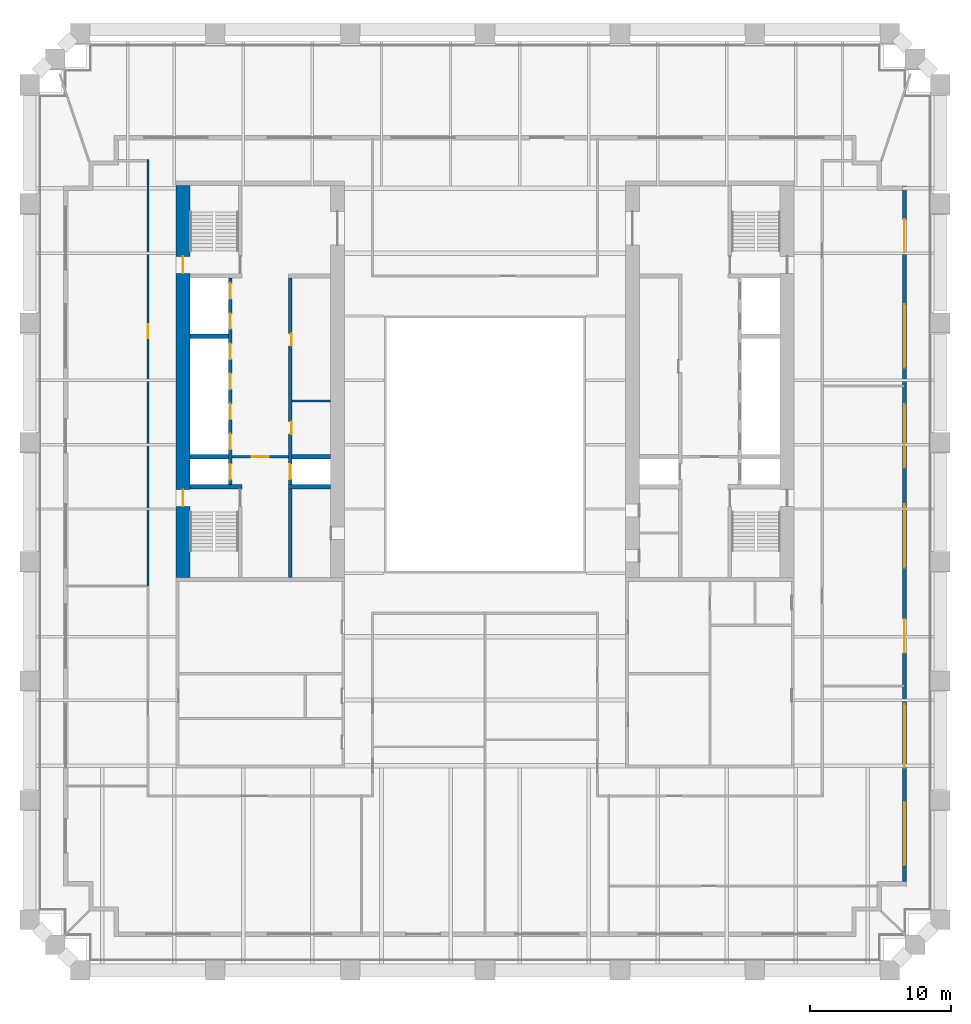
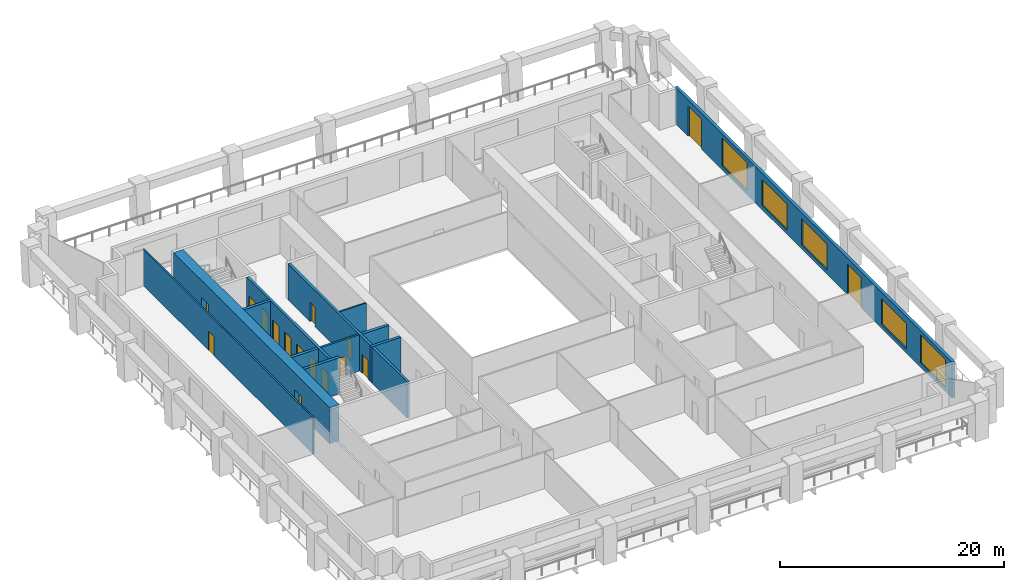
# One storey, part 5 of 9: 16 doors, 12 walls, 5 windows, 21 openings.
"""IFC4 building model written with IfcOpenShell, lengths in metres."""

import ifcopenshell
import ifcopenshell.guid

model = None  # the IFC model being written
_history = None  # IfcOwnerHistory: only IFC2X3 demands one
_inside = {}  # id of a spatial element -> (the spatial element, [elements in it])
_under = {}  # id of a project, library or spatial element -> (it, [spatial elements below it])
_declared = {}  # id of a project -> (the project, [libraries it declares])
_typed = {}  # id of a type object -> (the type object, [elements of that type])
_made_of = {}  # id of a material, layer set ... -> (it, [elements and type objects made of it])


def new_model(schema):
    """Start an empty IFC model of exactly this schema.

    Asked for "IFC4X3", IfcOpenShell would pick the latest addendum, in which some entities
    have other attributes; the version numbers below select the first issue.
    IFC2X3 requires an IfcOwnerHistory on every rooted entity: one is made here for all.
    """
    global model, _history
    if schema == "IFC4X3":
        model = ifcopenshell.file(schema_version=(4, 3, 0, 0))
    else:
        model = ifcopenshell.file(schema=schema)
    _inside.clear()
    _under.clear()
    _declared.clear()
    _typed.clear()
    _made_of.clear()
    _history = None
    if model.schema == "IFC2X3":
        org = make("IfcOrganization", Name="unknown")
        user = make(
            "IfcPersonAndOrganization",
            ThePerson=make("IfcPerson", FamilyName="unknown"),
            TheOrganization=org,
        )
        app = make(
            "IfcApplication",
            ApplicationDeveloper=org,
            Version="unknown",
            ApplicationFullName="unknown",
            ApplicationIdentifier="unknown",
        )
        _history = make(
            "IfcOwnerHistory",
            OwningUser=user,
            OwningApplication=app,
            ChangeAction="ADDED",
            CreationDate=0,
        )
    return model


def make(cls, **values):
    """One entity of the class cls with the attributes given. An attribute that is None is left unset."""
    return model.create_entity(
        cls, **{name: value for name, value in values.items() if value is not None}
    )


def rooted(cls, **values):
    """An entity with a GlobalId (a new one), such as an element, a storey or a relation."""
    return make(cls, GlobalId=ifcopenshell.guid.new(), OwnerHistory=_history, **values)


def si_unit(unit_type, name, prefix=None):
    """IfcSIUnit, for example si_unit("LENGTHUNIT", "METRE", prefix="MILLI")."""
    return make("IfcSIUnit", UnitType=unit_type, Prefix=prefix, Name=name)


def assignment(units):
    """IfcUnitAssignment: the units of a project."""
    return None if units is None else make("IfcUnitAssignment", Units=units)


def point(xyz):
    """IfcCartesianPoint."""
    return None if xyz is None else make("IfcCartesianPoint", Coordinates=xyz)


def direction(xyz):
    """IfcDirection."""
    return None if xyz is None else make("IfcDirection", DirectionRatios=xyz)


def frame(location, z_axis=None, x_axis=None):
    """IfcAxis2Placement3D, a coordinate frame: its origin and axes. An axis left out is left unset."""
    return make(
        "IfcAxis2Placement3D",
        Location=point(location),
        Axis=direction(z_axis),
        RefDirection=direction(x_axis),
    )


def frame_2d(location, x_axis=None):
    """IfcAxis2Placement2D, a coordinate frame in the plane: its origin and x axis."""
    return make(
        "IfcAxis2Placement2D", Location=point(location), RefDirection=direction(x_axis)
    )


def origin():
    """The frame at (0, 0, 0) with its axes left unset."""
    return frame((0.0, 0.0, 0.0))


def place(relative_to, where):
    """IfcLocalPlacement: puts the frame where relative to a parent placement (None: the world)."""
    return make(
        "IfcLocalPlacement", PlacementRelTo=relative_to, RelativePlacement=where
    )


def context(
    kind, dimensions, precision=None, world=None, true_north=None, identifier=None
):
    """IfcGeometricRepresentationContext, for example the 3D "Model" context."""
    return make(
        "IfcGeometricRepresentationContext",
        ContextIdentifier=identifier,
        ContextType=kind,
        CoordinateSpaceDimension=dimensions,
        Precision=precision,
        WorldCoordinateSystem=world,
        TrueNorth=true_north,
    )


def subcontext(parent, identifier, kind, view, scale=None):
    """IfcGeometricRepresentationSubContext, for example "Body" below "Model"."""
    return make(
        "IfcGeometricRepresentationSubContext",
        ContextIdentifier=identifier,
        ContextType=kind,
        ParentContext=parent,
        TargetScale=scale,
        TargetView=view,
    )


def project(units=None, contexts=None):
    """IfcProject with its units and contexts."""
    return rooted(
        "IfcProject",
        Name="project",
        RepresentationContexts=contexts,
        UnitsInContext=assignment(units),
    )


def spatial(cls, under=None, at=None, **own):
    """A site, building, storey or space (cls), placed at a placement, below another one or the project."""
    s = rooted(cls, ObjectPlacement=at, **own)
    if under is not None:
        _under.setdefault(under.id(), (under, []))[1].append(s)
    return s


def profile(cls, at=None, kind="AREA", **sizes):
    """A parametric profile (cls). Its sizes go by their IFC names, for example OverallWidth=200.0."""
    return make(cls, ProfileType=kind, Position=at, **sizes)


def rectangle(**sizes):
    """IfcRectangleProfileDef."""
    return profile("IfcRectangleProfileDef", **sizes)


def extrude(swept, where, along, depth):
    """IfcExtrudedAreaSolid: the profile swept, set in the frame where, extruded along a direction by depth."""
    return make(
        "IfcExtrudedAreaSolid",
        SweptArea=swept,
        Position=where,
        ExtrudedDirection=direction(along),
        Depth=depth,
    )


def shape(context_of_items, identifier, shape_type, items):
    """IfcShapeRepresentation: the items that make up one representation, for example the "Body"."""
    return make(
        "IfcShapeRepresentation",
        ContextOfItems=context_of_items,
        RepresentationIdentifier=identifier,
        RepresentationType=shape_type,
        Items=items,
    )


def material(Name=None, Category=None):
    """IfcMaterial."""
    return make("IfcMaterial", Name=Name, Category=Category)


def layer(
    of_material, thickness, ventilated=None, Name=None, Category=None, Priority=None
):
    """IfcMaterialLayer: one layer of a wall or slab, of a material (None: an air gap)."""
    return make(
        "IfcMaterialLayer",
        Material=of_material,
        LayerThickness=thickness,
        IsVentilated=ventilated,
        Name=Name,
        Category=Category,
        Priority=Priority,
    )


def layer_set(layers, Name=None):
    """IfcMaterialLayerSet."""
    return make("IfcMaterialLayerSet", MaterialLayers=layers, LayerSetName=Name)


def made_of(thing, what):
    """Note that an element or type object is made of a material, layer set ...; save() writes the relation."""
    if what is not None:
        _made_of.setdefault(what.id(), (what, []))[1].append(thing)
    return thing


def type_object(cls, material=None, **own):
    """A type object (cls), such as IfcWallType, which elements share."""
    return made_of(rooted(cls, **own), material)


def element(
    cls,
    number,
    at=None,
    inside=None,
    cuts=None,
    type_object=None,
    material=None,
    context=None,
    identifier="Body",
    shape_type=None,
    held_by="IfcProductDefinitionShape",
    body=None,
    shapes=None,
    **own,
):
    """One element of the class cls, such as IfcWall. Its Tag is "e" and its number.

    at: its placement. inside: the storey or other place that contains it. cuts: it is an
    opening in that element (IfcRelVoidsElement). A single representation is given by context,
    identifier, shape_type and body (its items); several are given by shapes. held_by: the class
    of the entity that holds the representations. save() writes the other relations.
    """
    e = rooted(cls, Tag="e%d" % number, ObjectPlacement=at, **own)
    if body is not None:
        shapes = [shape(context, identifier, shape_type, body)]
    if shapes is not None:
        e.Representation = make(held_by, Representations=shapes)
    if inside is not None:
        _inside.setdefault(inside.id(), (inside, []))[1].append(e)
    if cuts is not None:
        rooted(
            "IfcRelVoidsElement", RelatingBuildingElement=cuts, RelatedOpeningElement=e
        )
    if type_object is not None:
        _typed.setdefault(type_object.id(), (type_object, []))[1].append(e)
    return made_of(e, material)


def fill(opening, filler):
    """IfcRelFillsElement: the door or window that sits in an opening."""
    return rooted(
        "IfcRelFillsElement",
        RelatingOpeningElement=opening,
        RelatedBuildingElement=filler,
    )


def aggregate(whole, parts):
    """IfcRelAggregates: a whole, such as a stair, and the parts it consists of."""
    return rooted("IfcRelAggregates", RelatingObject=whole, RelatedObjects=parts)


def save(model, path):
    """Write the relations noted so far, then the file.

    IfcRelAggregates (storeys below a building ...), IfcRelContainedInSpatialStructure (elements
    in a storey), IfcRelDefinesByType, IfcRelAssociatesMaterial and IfcRelDeclares: one each for
    every whole, place, type object, material and project.
    """
    for whole, parts in _under.values():
        aggregate(whole, parts)
    for where, things in _inside.values():
        rooted(
            "IfcRelContainedInSpatialStructure",
            RelatedElements=things,
            RelatingStructure=where,
        )
    for kind, things in _typed.values():
        rooted("IfcRelDefinesByType", RelatedObjects=things, RelatingType=kind)
    for what, things in _made_of.values():
        rooted("IfcRelAssociatesMaterial", RelatedObjects=things, RelatingMaterial=what)
    for by, libraries in _declared.values():
        rooted("IfcRelDeclares", RelatingContext=by, RelatedDefinitions=libraries)
    model.write(path)


model = new_model("IFC4")

# Units and contexts
model_context = context("Model", 3, precision=1e-05, world=origin(), true_north=direction((0.0, 1.0)))
body_context = subcontext(model_context, "Body", "Model", "MODEL_VIEW")
ifc_project = project(units=[si_unit("LENGTHUNIT", "METRE"), si_unit("AREAUNIT", "SQUARE_METRE"), si_unit("VOLUMEUNIT", "CUBIC_METRE"), si_unit("PLANEANGLEUNIT", "RADIAN"), si_unit("MASSUNIT", "GRAM", prefix="KILO")], contexts=[model_context])

# Site, building, storey
site_placement = place(None, origin())
site = spatial("IfcSite", under=ifc_project, at=site_placement, CompositionType="ELEMENT")
building_placement = place(site_placement, origin())
building = spatial("IfcBuilding", under=site, at=building_placement, Name="Ogive Exchange Tower", CompositionType="ELEMENT")
storey_placement = place(building_placement, frame((0.0, 0.0, 85.800048828125)))
storey = spatial("IfcBuildingStorey", under=building, at=storey_placement, Name="L18", CompositionType="ELEMENT", Elevation=85.800048828125)

# Wall
ifc_material_1 = material(Name="Gypsum board partition")
ifc_layer_1 = layer(ifc_material_1, 0.14990234375)
ifc_layer_set_1 = layer_set([ifc_layer_1], Name="Core room partition 150 gypsum")
wall_type_1 = type_object("IfcWallType", Name="Core room partition 150 gypsum", PredefinedType="PARTITIONING", material=ifc_layer_set_1)
wall_1_placement = place(storey_placement, frame((-13.75, 10.10009765625, 0.0), z_axis=(0.0, 0.0, 1.0), x_axis=(1.0, 0.0, 0.0)))
element("IfcWall", 1, at=wall_1_placement, inside=storey, type_object=wall_type_1, Name="W row B bay partition 1-1", PredefinedType="PARTITIONING", context=body_context, shape_type="SweptSolid", body=[
    extrude(rectangle(XDim=2.75, YDim=0.14990234375, at=frame_2d((1.375, 0.0))), origin(), (0.0, 0.0, 1.0), 3.949951171875),
])

# Wall, opening, door
ifc_material_2 = material(Name="Fire partition EI 60 150")
ifc_layer_2 = layer(ifc_material_2, 0.14990234375)
ifc_layer_set_2 = layer_set([ifc_layer_2], Name="Fire partition EI 60 150")
wall_type_2 = type_object("IfcWallType", Name="Fire partition EI 60 150", PredefinedType="PARTITIONING", material=ifc_layer_set_2)
wall_2_placement = place(storey_placement, frame((-24.0, -3.06005859375, 0.0), z_axis=(0.0, 0.0, 1.0), x_axis=(0.0, 1.0, 0.0)))
wall_2 = element("IfcWall", 2, at=wall_2_placement, inside=storey, type_object=wall_type_2, Name="L18-PWL-005", PredefinedType="PARTITIONING", context=body_context, shape_type="SweptSolid", body=[
    extrude(rectangle(XDim=30.344970703125, YDim=0.14990234375, at=frame_2d((15.17236328125, 0.0))), origin(), (0.0, 0.0, 1.0), 3.949951171875),
])
opening_1_placement = place(wall_2_placement, frame((17.6201171875, 0.0, 0.0)))
opening_1 = element("IfcOpeningElement", 3, at=opening_1_placement, cuts=wall_2, Name="Opening L18-I10", PredefinedType="OPENING", context=body_context, shape_type="SweptSolid", body=[
    extrude(rectangle(XDim=1.0, YDim=2.10009765625, at=frame_2d((0.5, 1.050048828125))), frame((0.0, 0.0849609375, 0.0), z_axis=(0.0, -1.0, 0.0), x_axis=(1.0, 0.0, 0.0)), (0.0, 0.0, 1.0), 0.169921875),
])
ifc_material_3 = material(Name="Fire door FD 30S 1000 x 2100")
door_type_1 = type_object("IfcDoorType", Name="Fire door FD 30S 1000 x 2100", OperationType="NOTDEFINED", PredefinedType="DOOR", material=ifc_material_3)
door_1_placement = place(opening_1_placement, origin())
door_1 = element("IfcDoor", 4, at=door_1_placement, inside=storey, type_object=door_type_1, Name="L18-IDR-010", ObjectType="DT3", OperationType="SINGLE_SWING_RIGHT", OverallHeight=2.10009765625, OverallWidth=1.0, PredefinedType="DOOR", context=body_context, shape_type="SweptSolid", body=[
    extrude(rectangle(XDim=1.0, YDim=2.10009765625, at=frame_2d((0.5, 1.050048828125))), frame((0.0, 0.02490234375, 0.0), z_axis=(0.0, -1.0, 0.0), x_axis=(1.0, 0.0, 0.0)), (0.0, 0.0, 1.0), 0.050048828125),
])
fill(opening_1, door_1)

# Wall, openings, doors, windows
ifc_material_4 = material(Name="Precast concrete C40/50", Category="concrete")
ifc_layer_3 = layer(ifc_material_4, 0.300048828125)
ifc_layer_set_3 = layer_set([ifc_layer_3], Name="Limestone-faced wall 300")
wall_type_3 = type_object("IfcWallType", Name="Limestone-faced wall 300", PredefinedType="STANDARD", material=ifc_layer_set_3)
wall_3_placement = place(storey_placement, frame((29.85009765625, -24.10009765625, 0.0), z_axis=(0.0, 0.0, 1.0), x_axis=(0.0, 1.0, 0.0)))
wall_3 = element("IfcWall", 5, at=wall_3_placement, inside=storey, type_object=wall_type_3, Name="External wall E2", PredefinedType="STANDARD", context=body_context, shape_type="SweptSolid", body=[
    extrude(rectangle(XDim=49.5, YDim=0.300048828125, at=frame_2d((24.75, 0.0))), origin(), (0.0, 0.0, 1.0), 3.949951171875),
])
opening_2_placement = place(wall_3_placement, frame((1.156982421875, 0.0, 0.449951171875)))
opening_2 = element("IfcOpeningElement", 6, at=opening_2_placement, cuts=wall_3, Name="Opening W1", PredefinedType="OPENING", context=body_context, shape_type="SweptSolid", body=[
    extrude(rectangle(XDim=4.5, YDim=3.050048828125, at=frame_2d((2.25, 1.52490234375))), frame((0.0, 0.159912109375, 0.0), z_axis=(0.0, -1.0, 0.0), x_axis=(1.0, 0.0, 0.0)), (0.0, 0.0, 1.0), 0.320068359375),
])
opening_3_placement = place(wall_3_placement, frame((8.121337890625, 0.0, 0.449951171875)))
opening_3 = element("IfcOpeningElement", 7, at=opening_3_placement, cuts=wall_3, Name="Opening W1G", PredefinedType="OPENING", context=body_context, shape_type="SweptSolid", body=[
    extrude(rectangle(XDim=4.5, YDim=2.77490234375, at=frame_2d((2.25, 1.387451171875))), frame((0.0, 0.159912109375, 0.0), z_axis=(0.0, -1.0, 0.0), x_axis=(1.0, 0.0, 0.0)), (0.0, 0.0, 1.0), 0.320068359375),
])
opening_4_placement = place(wall_3_placement, frame((16.28564453125, 0.0, 0.0)))
opening_4 = element("IfcOpeningElement", 8, at=opening_4_placement, cuts=wall_3, Name="Opening D1E", PredefinedType="OPENING", context=body_context, shape_type="SweptSolid", body=[
    extrude(rectangle(XDim=2.39990234375, YDim=3.27490234375, at=frame_2d((1.199951171875, 1.637451171875))), frame((0.0, 0.159912109375, 0.0), z_axis=(0.0, -1.0, 0.0), x_axis=(1.0, 0.0, 0.0)), (0.0, 0.0, 1.0), 0.320068359375),
])
opening_5_placement = place(wall_3_placement, frame((22.35009765625, 0.0, 0.449951171875)))
opening_5 = element("IfcOpeningElement", 9, at=opening_5_placement, cuts=wall_3, Name="Opening W1E", PredefinedType="OPENING", context=body_context, shape_type="SweptSolid", body=[
    extrude(rectangle(XDim=4.5, YDim=2.824951171875, at=frame_2d((2.25, 1.41259765625))), frame((0.0, 0.159912109375, 0.0), z_axis=(0.0, -1.0, 0.0), x_axis=(1.0, 0.0, 0.0)), (0.0, 0.0, 1.0), 0.320068359375),
])
opening_6_placement = place(wall_3_placement, frame((29.464111328125, 0.0, 0.449951171875)))
opening_6 = element("IfcOpeningElement", 10, at=opening_6_placement, cuts=wall_3, Name="Opening W1E", PredefinedType="OPENING", context=body_context, shape_type="SweptSolid", body=[
    extrude(rectangle(XDim=4.5, YDim=2.824951171875, at=frame_2d((2.25, 1.41259765625))), frame((0.0, 0.159912109375, 0.0), z_axis=(0.0, -1.0, 0.0), x_axis=(1.0, 0.0, 0.0)), (0.0, 0.0, 1.0), 0.320068359375),
])
opening_7_placement = place(wall_3_placement, frame((36.57861328125, 0.0, 0.449951171875)))
opening_7 = element("IfcOpeningElement", 11, at=opening_7_placement, cuts=wall_3, Name="Opening W1", PredefinedType="OPENING", context=body_context, shape_type="SweptSolid", body=[
    extrude(rectangle(XDim=4.5, YDim=3.050048828125, at=frame_2d((2.25, 1.52490234375))), frame((0.0, 0.159912109375, 0.0), z_axis=(0.0, -1.0, 0.0), x_axis=(1.0, 0.0, 0.0)), (0.0, 0.0, 1.0), 0.320068359375),
])
opening_8_placement = place(wall_3_placement, frame((44.742919921875, 0.0, 0.0)))
opening_8 = element("IfcOpeningElement", 12, at=opening_8_placement, cuts=wall_3, Name="Opening D1E", PredefinedType="OPENING", context=body_context, shape_type="SweptSolid", body=[
    extrude(rectangle(XDim=2.39990234375, YDim=3.27490234375, at=frame_2d((1.199951171875, 1.637451171875))), frame((0.0, 0.159912109375, 0.0), z_axis=(0.0, -1.0, 0.0), x_axis=(1.0, 0.0, 0.0)), (0.0, 0.0, 1.0), 0.320068359375),
])
ifc_material_5 = material(Name="Clear glass in bronze frame", Category="glass")
door_type_2 = type_object("IfcDoorType", Name="Sliding loggia door 2400 x 3275", OperationType="DOUBLE_DOOR_SLIDING", PredefinedType="DOOR", material=ifc_material_5)
door_2_placement = place(opening_4_placement, origin())
door_2 = element("IfcDoor", 13, at=door_2_placement, inside=storey, type_object=door_type_2, Name="Loggia door E02", OperationType="DOUBLE_DOOR_SLIDING", OverallHeight=3.27490234375, OverallWidth=2.39990234375, PredefinedType="DOOR", context=body_context, shape_type="SweptSolid", body=[
    extrude(rectangle(XDim=2.39990234375, YDim=3.27490234375, at=frame_2d((1.199951171875, 1.637451171875))), frame((0.0, 0.02490234375, 0.0), z_axis=(0.0, -1.0, 0.0), x_axis=(1.0, 0.0, 0.0)), (0.0, 0.0, 1.0), 0.050048828125),
])
fill(opening_4, door_2)
door_3_placement = place(opening_8_placement, origin())
door_3 = element("IfcDoor", 14, at=door_3_placement, inside=storey, type_object=door_type_2, Name="Loggia door E06", OperationType="DOUBLE_DOOR_SLIDING", OverallHeight=3.27490234375, OverallWidth=2.39990234375, PredefinedType="DOOR", context=body_context, shape_type="SweptSolid", body=[
    extrude(rectangle(XDim=2.39990234375, YDim=3.27490234375, at=frame_2d((1.199951171875, 1.637451171875))), frame((0.0, 0.02490234375, 0.0), z_axis=(0.0, -1.0, 0.0), x_axis=(1.0, 0.0, 0.0)), (0.0, 0.0, 1.0), 0.050048828125),
])
fill(opening_8, door_3)
window_type_1 = type_object("IfcWindowType", Name="Twin lancet window 4500 x 2775", PartitioningType="DOUBLE_PANEL_VERTICAL", PredefinedType="WINDOW", material=ifc_material_5)
window_1_placement = place(opening_3_placement, origin())
window_1 = element("IfcWindow", 15, at=window_1_placement, inside=storey, type_object=window_type_1, Name="Window E01", OverallHeight=2.77490234375, OverallWidth=4.5, PartitioningType="DOUBLE_PANEL_VERTICAL", PredefinedType="WINDOW", context=body_context, shape_type="SweptSolid", body=[
    extrude(rectangle(XDim=4.5, YDim=2.77490234375, at=frame_2d((2.25, 1.387451171875))), frame((0.0, 0.030029296875, 0.0), z_axis=(0.0, -1.0, 0.0), x_axis=(1.0, 0.0, 0.0)), (0.0, 0.0, 1.0), 0.06005859375),
])
fill(opening_3, window_1)
window_type_2 = type_object("IfcWindowType", Name="Twin lancet window 4500 x 2825", PartitioningType="DOUBLE_PANEL_VERTICAL", PredefinedType="WINDOW", material=ifc_material_5)
window_2_placement = place(opening_5_placement, origin())
window_2 = element("IfcWindow", 16, at=window_2_placement, inside=storey, type_object=window_type_2, Name="Window E03", OverallHeight=2.824951171875, OverallWidth=4.5, PartitioningType="DOUBLE_PANEL_VERTICAL", PredefinedType="WINDOW", context=body_context, shape_type="SweptSolid", body=[
    extrude(rectangle(XDim=4.5, YDim=2.824951171875, at=frame_2d((2.25, 1.41259765625))), frame((0.0, 0.030029296875, 0.0), z_axis=(0.0, -1.0, 0.0), x_axis=(1.0, 0.0, 0.0)), (0.0, 0.0, 1.0), 0.06005859375),
])
fill(opening_5, window_2)
window_3_placement = place(opening_6_placement, origin())
window_3 = element("IfcWindow", 17, at=window_3_placement, inside=storey, type_object=window_type_2, Name="Window E04", OverallHeight=2.824951171875, OverallWidth=4.5, PartitioningType="DOUBLE_PANEL_VERTICAL", PredefinedType="WINDOW", context=body_context, shape_type="SweptSolid", body=[
    extrude(rectangle(XDim=4.5, YDim=2.824951171875, at=frame_2d((2.25, 1.41259765625))), frame((0.0, 0.030029296875, 0.0), z_axis=(0.0, -1.0, 0.0), x_axis=(1.0, 0.0, 0.0)), (0.0, 0.0, 1.0), 0.06005859375),
])
fill(opening_6, window_3)
window_type_3 = type_object("IfcWindowType", Name="Twin lancet window 4500 x 3050", PartitioningType="DOUBLE_PANEL_VERTICAL", PredefinedType="WINDOW", material=ifc_material_5)
window_4_placement = place(opening_2_placement, origin())
window_4 = element("IfcWindow", 18, at=window_4_placement, inside=storey, type_object=window_type_3, Name="Window E00", OverallHeight=3.050048828125, OverallWidth=4.5, PartitioningType="DOUBLE_PANEL_VERTICAL", PredefinedType="WINDOW", context=body_context, shape_type="SweptSolid", body=[
    extrude(rectangle(XDim=4.5, YDim=3.050048828125, at=frame_2d((2.25, 1.52490234375))), frame((0.0, 0.030029296875, 0.0), z_axis=(0.0, -1.0, 0.0), x_axis=(1.0, 0.0, 0.0)), (0.0, 0.0, 1.0), 0.06005859375),
])
fill(opening_2, window_4)
window_5_placement = place(opening_7_placement, origin())
window_5 = element("IfcWindow", 19, at=window_5_placement, inside=storey, type_object=window_type_3, Name="Window E05", OverallHeight=3.050048828125, OverallWidth=4.5, PartitioningType="DOUBLE_PANEL_VERTICAL", PredefinedType="WINDOW", context=body_context, shape_type="SweptSolid", body=[
    extrude(rectangle(XDim=4.5, YDim=3.050048828125, at=frame_2d((2.25, 1.52490234375))), frame((0.0, 0.030029296875, 0.0), z_axis=(0.0, -1.0, 0.0), x_axis=(1.0, 0.0, 0.0)), (0.0, 0.0, 1.0), 0.06005859375),
])
fill(opening_7, window_5)

# Wall, openings, doors
ifc_material_6 = material(Name="Concrete C70/85", Category="concrete")
ifc_layer_4 = layer(ifc_material_6, 1.0)
ifc_layer_set_4 = layer_set([ifc_layer_4], Name="RC core wall 1000 C70/85")
wall_type_4 = type_object("IfcWallType", Name="RC core wall 1000 C70/85", PredefinedType="SHEAR", material=ifc_layer_set_4)
wall_4_placement = place(storey_placement, frame((-21.5, -2.449951171875, 0.0), z_axis=(0.0, 0.0, 1.0), x_axis=(0.0, 1.0, 0.0)))
wall_4 = element("IfcWall", 20, at=wall_4_placement, inside=storey, type_object=wall_type_4, Name="W outer wall", PredefinedType="SHEAR", context=body_context, shape_type="SweptSolid", body=[
    extrude(rectangle(XDim=27.89990234375, YDim=1.0, at=frame_2d((13.949951171875, 0.0))), origin(), (0.0, 0.0, 1.0), 3.949951171875),
])
opening_9_placement = place(wall_4_placement, frame((5.050048828125, 0.0, 0.0)))
opening_9 = element("IfcOpeningElement", 21, at=opening_9_placement, cuts=wall_4, Name="Opening L18-C14", PredefinedType="OPENING", context=body_context, shape_type="SweptSolid", body=[
    extrude(rectangle(XDim=1.199951171875, YDim=2.10009765625, at=frame_2d((0.60009765625, 1.050048828125))), frame((0.0, 0.510009765625, 0.0), z_axis=(0.0, -1.0, 0.0), x_axis=(1.0, 0.0, 0.0)), (0.0, 0.0, 1.0), 1.02001953125),
])
opening_10_placement = place(wall_4_placement, frame((21.64990234375, 0.0, 0.0)))
opening_10 = element("IfcOpeningElement", 22, at=opening_10_placement, cuts=wall_4, Name="Opening L18-C16", PredefinedType="OPENING", context=body_context, shape_type="SweptSolid", body=[
    extrude(rectangle(XDim=1.199951171875, YDim=2.10009765625, at=frame_2d((0.60009765625, 1.050048828125))), frame((0.0, 0.510009765625, 0.0), z_axis=(0.0, -1.0, 0.0), x_axis=(1.0, 0.0, 0.0)), (0.0, 0.0, 1.0), 1.02001953125),
])
ifc_material_7 = material(Name="Steel fire door", Category="steel")
door_type_3 = type_object("IfcDoorType", Name="Stair door FD90 1200 x 2100", OperationType="NOTDEFINED", PredefinedType="DOOR", material=ifc_material_7)
door_4_placement = place(opening_9_placement, frame((1.199951171875, 0.0, 0.0), z_axis=(0.0, 0.0, 1.0), x_axis=(-1.0, 0.0, 0.0)))
door_4 = element("IfcDoor", 23, at=door_4_placement, inside=storey, type_object=door_type_3, Name="Stair door", ObjectType="CD5", OperationType="SINGLE_SWING_RIGHT", OverallHeight=2.10009765625, OverallWidth=1.199951171875, PredefinedType="DOOR", context=body_context, shape_type="SweptSolid", body=[
    extrude(rectangle(XDim=1.199951171875, YDim=2.10009765625, at=frame_2d((0.60009765625, 1.050048828125))), frame((0.0, 0.02490234375, 0.0), z_axis=(0.0, -1.0, 0.0), x_axis=(1.0, 0.0, 0.0)), (0.0, 0.0, 1.0), 0.050048828125),
])
fill(opening_9, door_4)
door_5_placement = place(opening_10_placement, frame((1.199951171875, 0.0, 0.0), z_axis=(0.0, 0.0, 1.0), x_axis=(-1.0, 0.0, 0.0)))
door_5 = element("IfcDoor", 24, at=door_5_placement, inside=storey, type_object=door_type_3, Name="Stair door", ObjectType="CD5", OperationType="SINGLE_SWING_LEFT", OverallHeight=2.10009765625, OverallWidth=1.199951171875, PredefinedType="DOOR", context=body_context, shape_type="SweptSolid", body=[
    extrude(rectangle(XDim=1.199951171875, YDim=2.10009765625, at=frame_2d((0.60009765625, 1.050048828125))), frame((0.0, 0.02490234375, 0.0), z_axis=(0.0, -1.0, 0.0), x_axis=(1.0, 0.0, 0.0)), (0.0, 0.0, 1.0), 0.050048828125),
])
fill(opening_10, door_5)

# Wall, opening, door
ifc_layer_5 = layer(ifc_material_6, 0.199951171875)
ifc_layer_set_5 = layer_set([ifc_layer_5], Name="RC core wall 200 C70/85")
wall_type_5 = type_object("IfcWallType", Name="RC core wall 200 C70/85", PredefinedType="SHEAR", material=ifc_layer_set_5)
wall_5_placement = place(storey_placement, frame((-18.0, 6.142822265625, 0.0), z_axis=(0.0, 0.0, 1.0), x_axis=(1.0, 0.0, 0.0)))
wall_5 = element("IfcWall", 25, at=wall_5_placement, inside=storey, type_object=wall_type_5, Name="W firefighting lobby wall", PredefinedType="SHEAR", context=body_context, shape_type="SweptSolid", body=[
    extrude(rectangle(XDim=4.0, YDim=0.199951171875, at=frame_2d((2.0, 0.0))), origin(), (0.0, 0.0, 1.0), 3.949951171875),
])
opening_11_placement = place(wall_5_placement, frame((1.39990234375, 0.0, 0.0)))
opening_11 = element("IfcOpeningElement", 26, at=opening_11_placement, cuts=wall_5, Name="Opening L18-C11", PredefinedType="OPENING", context=body_context, shape_type="SweptSolid", body=[
    extrude(rectangle(XDim=1.199951171875, YDim=2.10009765625, at=frame_2d((0.60009765625, 1.050048828125))), frame((0.0, 0.10986328125, 0.0), z_axis=(0.0, -1.0, 0.0), x_axis=(1.0, 0.0, 0.0)), (0.0, 0.0, 1.0), 0.219970703125),
])
door_type_4 = type_object("IfcDoorType", Name="Firefighting lobby door FD60 1200 x 2100", OperationType="NOTDEFINED", PredefinedType="DOOR", material=ifc_material_7)
door_6_placement = place(opening_11_placement, frame((1.199951171875, 0.0, 0.0), z_axis=(0.0, 0.0, 1.0), x_axis=(-1.0, 0.0, 0.0)))
door_6 = element("IfcDoor", 27, at=door_6_placement, inside=storey, type_object=door_type_4, Name="Firefighting lobby door", ObjectType="CD3", OperationType="SINGLE_SWING_LEFT", OverallHeight=2.10009765625, OverallWidth=1.199951171875, PredefinedType="DOOR", context=body_context, shape_type="SweptSolid", body=[
    extrude(rectangle(XDim=1.199951171875, YDim=2.10009765625, at=frame_2d((0.60009765625, 1.050048828125))), frame((0.0, 0.02490234375, 0.0), z_axis=(0.0, -1.0, 0.0), x_axis=(1.0, 0.0, 0.0)), (0.0, 0.0, 1.0), 0.050048828125),
])
fill(opening_11, door_6)

# Wall, openings, doors
ifc_layer_6 = layer(ifc_material_6, 0.25)
ifc_layer_set_6 = layer_set([ifc_layer_6], Name="RC core wall 250 C70/85")
wall_type_6 = type_object("IfcWallType", Name="RC core wall 250 C70/85", PredefinedType="SHEAR", material=ifc_layer_set_6)
wall_6_placement = place(storey_placement, frame((-18.125, 4.14990234375, 0.0), z_axis=(0.0, 0.0, 1.0), x_axis=(0.0, 1.0, 0.0)))
wall_6 = element("IfcWall", 28, at=wall_6_placement, inside=storey, type_object=wall_type_6, Name="W row A front wall", PredefinedType="SHEAR", context=body_context, shape_type="SweptSolid", body=[
    extrude(rectangle(XDim=14.7001953125, YDim=0.25, at=frame_2d((7.35009765625, 0.0))), origin(), (0.0, 0.0, 1.0), 3.949951171875),
])
opening_12_placement = place(wall_6_placement, frame((0.371337890625, 0.0, 0.0)))
opening_12 = element("IfcOpeningElement", 29, at=opening_12_placement, cuts=wall_6, Name="Opening L18-C01", PredefinedType="OPENING", context=body_context, shape_type="SweptSolid", body=[
    extrude(rectangle(XDim=1.10009765625, YDim=2.10009765625, at=frame_2d((0.550048828125, 1.050048828125))), frame((0.0, 0.135009765625, 0.0), z_axis=(0.0, -1.0, 0.0), x_axis=(1.0, 0.0, 0.0)), (0.0, 0.0, 1.0), 0.27001953125),
])
opening_13_placement = place(wall_6_placement, frame((2.514404296875, 0.0, 0.0)))
opening_13 = element("IfcOpeningElement", 30, at=opening_13_placement, cuts=wall_6, Name="Opening L18-C02", PredefinedType="OPENING", context=body_context, shape_type="SweptSolid", body=[
    extrude(rectangle(XDim=1.10009765625, YDim=2.10009765625, at=frame_2d((0.550048828125, 1.050048828125))), frame((0.0, 0.135009765625, 0.0), z_axis=(0.0, -1.0, 0.0), x_axis=(1.0, 0.0, 0.0)), (0.0, 0.0, 1.0), 0.27001953125),
])
opening_14_placement = place(wall_6_placement, frame((4.656982421875, 0.0, 0.0)))
opening_14 = element("IfcOpeningElement", 31, at=opening_14_placement, cuts=wall_6, Name="Opening L18-C03", PredefinedType="OPENING", context=body_context, shape_type="SweptSolid", body=[
    extrude(rectangle(XDim=1.10009765625, YDim=2.10009765625, at=frame_2d((0.550048828125, 1.050048828125))), frame((0.0, 0.135009765625, 0.0), z_axis=(0.0, -1.0, 0.0), x_axis=(1.0, 0.0, 0.0)), (0.0, 0.0, 1.0), 0.27001953125),
])
opening_15_placement = place(wall_6_placement, frame((6.800048828125, 0.0, 0.0)))
opening_15 = element("IfcOpeningElement", 32, at=opening_15_placement, cuts=wall_6, Name="Opening L18-C04", PredefinedType="OPENING", context=body_context, shape_type="SweptSolid", body=[
    extrude(rectangle(XDim=1.10009765625, YDim=2.10009765625, at=frame_2d((0.550048828125, 1.050048828125))), frame((0.0, 0.135009765625, 0.0), z_axis=(0.0, -1.0, 0.0), x_axis=(1.0, 0.0, 0.0)), (0.0, 0.0, 1.0), 0.27001953125),
])
opening_16_placement = place(wall_6_placement, frame((8.94287109375, 0.0, 0.0)))
opening_16 = element("IfcOpeningElement", 33, at=opening_16_placement, cuts=wall_6, Name="Opening L18-C05", PredefinedType="OPENING", context=body_context, shape_type="SweptSolid", body=[
    extrude(rectangle(XDim=1.10009765625, YDim=2.10009765625, at=frame_2d((0.550048828125, 1.050048828125))), frame((0.0, 0.135009765625, 0.0), z_axis=(0.0, -1.0, 0.0), x_axis=(1.0, 0.0, 0.0)), (0.0, 0.0, 1.0), 0.27001953125),
])
opening_17_placement = place(wall_6_placement, frame((11.085693359375, 0.0, 0.0)))
opening_17 = element("IfcOpeningElement", 34, at=opening_17_placement, cuts=wall_6, Name="Opening L18-C06", PredefinedType="OPENING", context=body_context, shape_type="SweptSolid", body=[
    extrude(rectangle(XDim=1.10009765625, YDim=2.10009765625, at=frame_2d((0.550048828125, 1.050048828125))), frame((0.0, 0.135009765625, 0.0), z_axis=(0.0, -1.0, 0.0), x_axis=(1.0, 0.0, 0.0)), (0.0, 0.0, 1.0), 0.27001953125),
])
opening_18_placement = place(wall_6_placement, frame((13.228515625, 0.0, 0.0)))
opening_18 = element("IfcOpeningElement", 35, at=opening_18_placement, cuts=wall_6, Name="Opening L18-C07", PredefinedType="OPENING", context=body_context, shape_type="SweptSolid", body=[
    extrude(rectangle(XDim=1.10009765625, YDim=2.10009765625, at=frame_2d((0.550048828125, 1.050048828125))), frame((0.0, 0.135009765625, 0.0), z_axis=(0.0, -1.0, 0.0), x_axis=(1.0, 0.0, 0.0)), (0.0, 0.0, 1.0), 0.27001953125),
])
ifc_material_8 = material(Name="Stainless steel", Category="steel")
door_type_5 = type_object("IfcDoorType", Name="Lift landing door FD90 1100 x 2100", OperationType="SLIDING_TO_LEFT", PredefinedType="DOOR", material=ifc_material_8)
door_7_placement = place(opening_12_placement, origin())
door_7 = element("IfcDoor", 36, at=door_7_placement, inside=storey, type_object=door_type_5, Name="Lift landing door FF1", ObjectType="LD", OperationType="SLIDING_TO_LEFT", OverallHeight=2.10009765625, OverallWidth=1.10009765625, PredefinedType="DOOR", context=body_context, shape_type="SweptSolid", body=[
    extrude(rectangle(XDim=1.10009765625, YDim=2.10009765625, at=frame_2d((0.550048828125, 1.050048828125))), frame((0.0, 0.02490234375, 0.0), z_axis=(0.0, -1.0, 0.0), x_axis=(1.0, 0.0, 0.0)), (0.0, 0.0, 1.0), 0.050048828125),
])
fill(opening_12, door_7)
door_8_placement = place(opening_13_placement, origin())
door_8 = element("IfcDoor", 37, at=door_8_placement, inside=storey, type_object=door_type_5, Name="Lift landing door W-L1", ObjectType="LD", OperationType="SLIDING_TO_LEFT", OverallHeight=2.10009765625, OverallWidth=1.10009765625, PredefinedType="DOOR", context=body_context, shape_type="SweptSolid", body=[
    extrude(rectangle(XDim=1.10009765625, YDim=2.10009765625, at=frame_2d((0.550048828125, 1.050048828125))), frame((0.0, 0.02490234375, 0.0), z_axis=(0.0, -1.0, 0.0), x_axis=(1.0, 0.0, 0.0)), (0.0, 0.0, 1.0), 0.050048828125),
])
fill(opening_13, door_8)
door_9_placement = place(opening_14_placement, origin())
door_9 = element("IfcDoor", 38, at=door_9_placement, inside=storey, type_object=door_type_5, Name="Lift landing door W-L2", ObjectType="LD", OperationType="SLIDING_TO_LEFT", OverallHeight=2.10009765625, OverallWidth=1.10009765625, PredefinedType="DOOR", context=body_context, shape_type="SweptSolid", body=[
    extrude(rectangle(XDim=1.10009765625, YDim=2.10009765625, at=frame_2d((0.550048828125, 1.050048828125))), frame((0.0, 0.02490234375, 0.0), z_axis=(0.0, -1.0, 0.0), x_axis=(1.0, 0.0, 0.0)), (0.0, 0.0, 1.0), 0.050048828125),
])
fill(opening_14, door_9)
door_10_placement = place(opening_15_placement, origin())
door_10 = element("IfcDoor", 39, at=door_10_placement, inside=storey, type_object=door_type_5, Name="Lift landing door W-L3", ObjectType="LD", OperationType="SLIDING_TO_LEFT", OverallHeight=2.10009765625, OverallWidth=1.10009765625, PredefinedType="DOOR", context=body_context, shape_type="SweptSolid", body=[
    extrude(rectangle(XDim=1.10009765625, YDim=2.10009765625, at=frame_2d((0.550048828125, 1.050048828125))), frame((0.0, 0.02490234375, 0.0), z_axis=(0.0, -1.0, 0.0), x_axis=(1.0, 0.0, 0.0)), (0.0, 0.0, 1.0), 0.050048828125),
])
fill(opening_15, door_10)
door_11_placement = place(opening_16_placement, origin())
door_11 = element("IfcDoor", 40, at=door_11_placement, inside=storey, type_object=door_type_5, Name="Lift landing door W-L4", ObjectType="LD", OperationType="SLIDING_TO_LEFT", OverallHeight=2.10009765625, OverallWidth=1.10009765625, PredefinedType="DOOR", context=body_context, shape_type="SweptSolid", body=[
    extrude(rectangle(XDim=1.10009765625, YDim=2.10009765625, at=frame_2d((0.550048828125, 1.050048828125))), frame((0.0, 0.02490234375, 0.0), z_axis=(0.0, -1.0, 0.0), x_axis=(1.0, 0.0, 0.0)), (0.0, 0.0, 1.0), 0.050048828125),
])
fill(opening_16, door_11)
door_12_placement = place(opening_17_placement, origin())
door_12 = element("IfcDoor", 41, at=door_12_placement, inside=storey, type_object=door_type_5, Name="Lift landing door W-SH1", ObjectType="LD", OperationType="SLIDING_TO_LEFT", OverallHeight=2.10009765625, OverallWidth=1.10009765625, PredefinedType="DOOR", context=body_context, shape_type="SweptSolid", body=[
    extrude(rectangle(XDim=1.10009765625, YDim=2.10009765625, at=frame_2d((0.550048828125, 1.050048828125))), frame((0.0, 0.02490234375, 0.0), z_axis=(0.0, -1.0, 0.0), x_axis=(1.0, 0.0, 0.0)), (0.0, 0.0, 1.0), 0.050048828125),
])
fill(opening_17, door_12)
door_13_placement = place(opening_18_placement, origin())
door_13 = element("IfcDoor", 42, at=door_13_placement, inside=storey, type_object=door_type_5, Name="Lift landing door W-SH2", ObjectType="LD", OperationType="SLIDING_TO_LEFT", OverallHeight=2.10009765625, OverallWidth=1.10009765625, PredefinedType="DOOR", context=body_context, shape_type="SweptSolid", body=[
    extrude(rectangle(XDim=1.10009765625, YDim=2.10009765625, at=frame_2d((0.550048828125, 1.050048828125))), frame((0.0, 0.02490234375, 0.0), z_axis=(0.0, -1.0, 0.0), x_axis=(1.0, 0.0, 0.0)), (0.0, 0.0, 1.0), 0.050048828125),
])
fill(opening_18, door_13)

wall_7_placement = place(storey_placement, frame((-13.875, -2.449951171875, 0.0), z_axis=(0.0, 0.0, 1.0), x_axis=(0.0, 1.0, 0.0)))
wall_7 = element("IfcWall", 43, at=wall_7_placement, inside=storey, type_object=wall_type_6, Name="W row B front wall", PredefinedType="SHEAR", context=body_context, shape_type="SweptSolid", body=[
    extrude(rectangle(XDim=21.300048828125, YDim=0.25, at=frame_2d((10.64990234375, 0.0))), origin(), (0.0, 0.0, 1.0), 3.949951171875),
])
opening_19_placement = place(wall_7_placement, frame((10.1962890625, 0.0, 0.0)))
opening_19 = element("IfcOpeningElement", 44, at=opening_19_placement, cuts=wall_7, Name="Opening L18-C08", PredefinedType="OPENING", context=body_context, shape_type="SweptSolid", body=[
    extrude(rectangle(XDim=0.89990234375, YDim=2.10009765625, at=frame_2d((0.449951171875, 1.050048828125))), frame((0.0, 0.135009765625, 0.0), z_axis=(0.0, -1.0, 0.0), x_axis=(1.0, 0.0, 0.0)), (0.0, 0.0, 1.0), 0.27001953125),
])
opening_20_placement = place(wall_7_placement, frame((16.47509765625, 0.0, 0.0)))
opening_20 = element("IfcOpeningElement", 45, at=opening_20_placement, cuts=wall_7, Name="Opening L18-C09", PredefinedType="OPENING", context=body_context, shape_type="SweptSolid", body=[
    extrude(rectangle(XDim=0.89990234375, YDim=2.10009765625, at=frame_2d((0.449951171875, 1.050048828125))), frame((0.0, 0.135009765625, 0.0), z_axis=(0.0, -1.0, 0.0), x_axis=(1.0, 0.0, 0.0)), (0.0, 0.0, 1.0), 0.27001953125),
])
opening_21_placement = place(wall_7_placement, frame((6.971435546875, 0.0, 0.0)))
opening_21 = element("IfcOpeningElement", 46, at=opening_21_placement, cuts=wall_7, Name="Opening L18-C10", PredefinedType="OPENING", context=body_context, shape_type="SweptSolid", body=[
    extrude(rectangle(XDim=1.10009765625, YDim=2.10009765625, at=frame_2d((0.550048828125, 1.050048828125))), frame((0.0, 0.135009765625, 0.0), z_axis=(0.0, -1.0, 0.0), x_axis=(1.0, 0.0, 0.0)), (0.0, 0.0, 1.0), 0.27001953125),
])
ifc_material_9 = material(Name="Timber fire door", Category="wood")
door_type_6 = type_object("IfcDoorType", Name="Core room door FD30S 900 x 2100", OperationType="NOTDEFINED", PredefinedType="DOOR", material=ifc_material_9)
door_14_placement = place(opening_20_placement, frame((0.89990234375, -0.2001953125, 0.0), z_axis=(0.0, 0.0, 1.0), x_axis=(-1.0, 0.0, 0.0)))
door_14 = element("IfcDoor", 47, at=door_14_placement, inside=storey, type_object=door_type_6, Name="Core room door", ObjectType="CD6", OperationType="SINGLE_SWING_RIGHT", OverallHeight=2.10009765625, OverallWidth=0.89990234375, PredefinedType="DOOR", context=body_context, shape_type="SweptSolid", body=[
    extrude(rectangle(XDim=0.89990234375, YDim=2.10009765625, at=frame_2d((0.449951171875, 1.050048828125))), frame((0.0, -0.0751953125, 0.0), z_axis=(0.0, -1.0, 0.0), x_axis=(1.0, 0.0, 0.0)), (0.0, 0.0, 1.0), 0.050048828125),
])
fill(opening_20, door_14)
door_15_placement = place(opening_21_placement, origin())
door_15 = element("IfcDoor", 48, at=door_15_placement, inside=storey, type_object=door_type_5, Name="Lift landing door SV1", ObjectType="LD", OperationType="SLIDING_TO_LEFT", OverallHeight=2.10009765625, OverallWidth=1.10009765625, PredefinedType="DOOR", context=body_context, shape_type="SweptSolid", body=[
    extrude(rectangle(XDim=1.10009765625, YDim=2.10009765625, at=frame_2d((0.550048828125, 1.050048828125))), frame((0.0, 0.02490234375, 0.0), z_axis=(0.0, -1.0, 0.0), x_axis=(1.0, 0.0, 0.0)), (0.0, 0.0, 1.0), 0.050048828125),
])
fill(opening_21, door_15)
door_type_7 = type_object("IfcDoorType", Name="Riser door FD60 900 x 2100", OperationType="NOTDEFINED", PredefinedType="DOOR", material=ifc_material_7)
door_16_placement = place(opening_19_placement, frame((0.89990234375, -0.2001953125, 0.0), z_axis=(0.0, 0.0, 1.0), x_axis=(-1.0, 0.0, 0.0)))
door_16 = element("IfcDoor", 49, at=door_16_placement, inside=storey, type_object=door_type_7, Name="Riser door", ObjectType="CD2", OperationType="SINGLE_SWING_RIGHT", OverallHeight=2.10009765625, OverallWidth=0.89990234375, PredefinedType="DOOR", context=body_context, shape_type="SweptSolid", body=[
    extrude(rectangle(XDim=0.89990234375, YDim=2.10009765625, at=frame_2d((0.449951171875, 1.050048828125))), frame((0.0, -0.0751953125, 0.0), z_axis=(0.0, -1.0, 0.0), x_axis=(1.0, 0.0, 0.0)), (0.0, 0.0, 1.0), 0.050048828125),
])
fill(opening_19, door_16)

# Walls
ifc_layer_7 = layer(ifc_material_6, 0.300048828125)
ifc_layer_set_7 = layer_set([ifc_layer_7], Name="RC core wall 300 C70/85")
wall_type_7 = type_object("IfcWallType", Name="RC core wall 300 C70/85", PredefinedType="SHEAR", material=ifc_layer_set_7)
wall_8_placement = place(storey_placement, frame((-21.0, 4.0, 0.0), z_axis=(0.0, 0.0, 1.0), x_axis=(1.0, 0.0, 0.0)))
element("IfcWall", 50, at=wall_8_placement, inside=storey, type_object=wall_type_7, Name="W stair S north wall", PredefinedType="SHEAR", context=body_context, shape_type="SweptSolid", body=[
    extrude(rectangle(XDim=3.699951171875, YDim=0.300048828125, at=frame_2d((1.85009765625, 0.0))), origin(), (0.0, 0.0, 1.0), 3.949951171875),
])
for number, where, z_axis, x_axis, name in (
    (51, (-21.0, 6.142822265625, 0.0), (0.0, 0.0, 1.0), (1.0, 0.0, 0.0), "W row A divider 1"),
    (52, (-21.0, 14.71435546875, 0.0), (0.0, 0.0, 1.0), (1.0, 0.0, 0.0), "W row A divider 5"),
):
    element("IfcWall", number, at=place(storey_placement, frame(where, z_axis=z_axis, x_axis=x_axis)), inside=storey, type_object=wall_type_7, Name=name, PredefinedType="SHEAR", context=body_context, shape_type="SweptSolid", body=[
        extrude(rectangle(XDim=2.75, YDim=0.300048828125, at=frame_2d((1.375, 0.0))), origin(), (0.0, 0.0, 1.0), 3.949951171875),
    ])
wall_9_placement = place(storey_placement, frame((-14.0, 4.0, 0.0), z_axis=(0.0, 0.0, 1.0), x_axis=(1.0, 0.0, 0.0)))
element("IfcWall", 53, at=wall_9_placement, inside=storey, type_object=wall_type_7, Name="W row B divider 0", PredefinedType="SHEAR", context=body_context, shape_type="SweptSolid", body=[
    extrude(rectangle(XDim=3.0, YDim=0.300048828125, at=frame_2d((1.5, 0.0))), origin(), (0.0, 0.0, 1.0), 3.949951171875),
])
wall_10_placement = place(storey_placement, frame((-13.75, 6.142822265625, 0.0), z_axis=(0.0, 0.0, 1.0), x_axis=(1.0, 0.0, 0.0)))
element("IfcWall", 54, at=wall_10_placement, inside=storey, type_object=wall_type_7, Name="W row B divider 1", PredefinedType="SHEAR", context=body_context, shape_type="SweptSolid", body=[
    extrude(rectangle(XDim=2.75, YDim=0.300048828125, at=frame_2d((1.375, 0.0))), origin(), (0.0, 0.0, 1.0), 3.949951171875),
])

save(model, "model.ifc")
